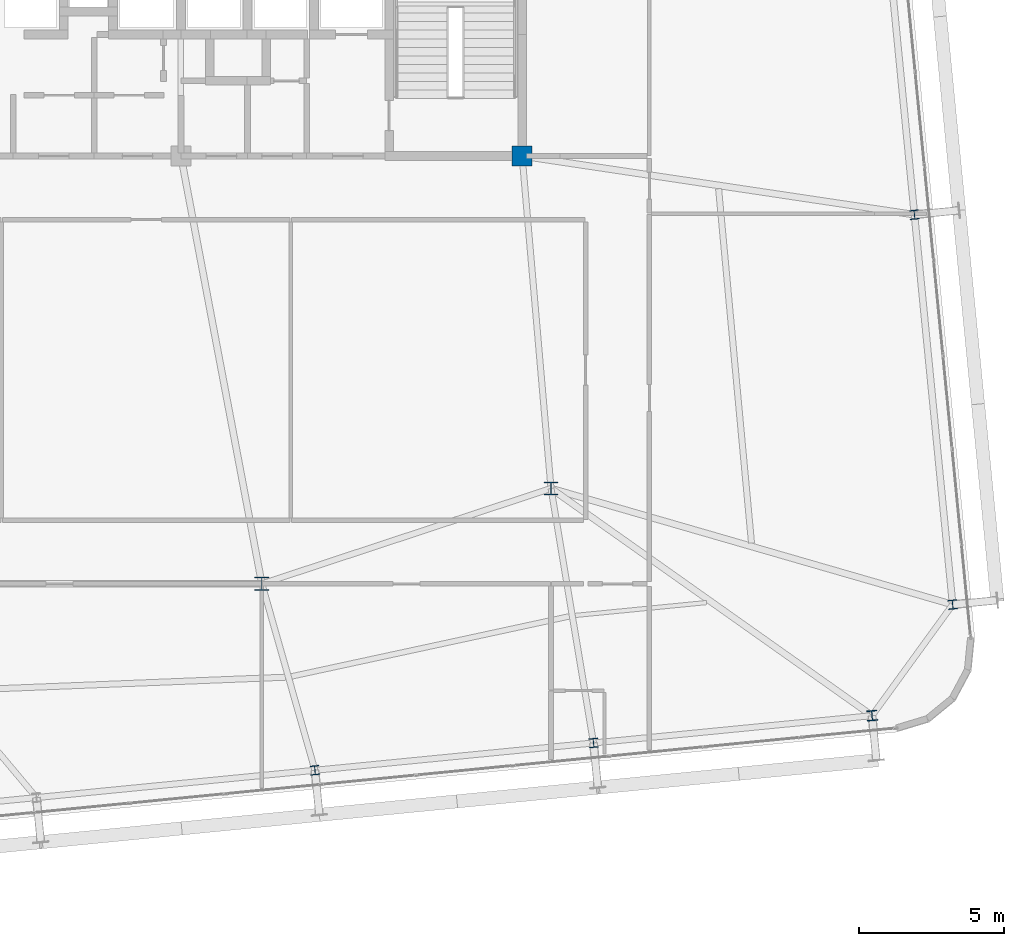
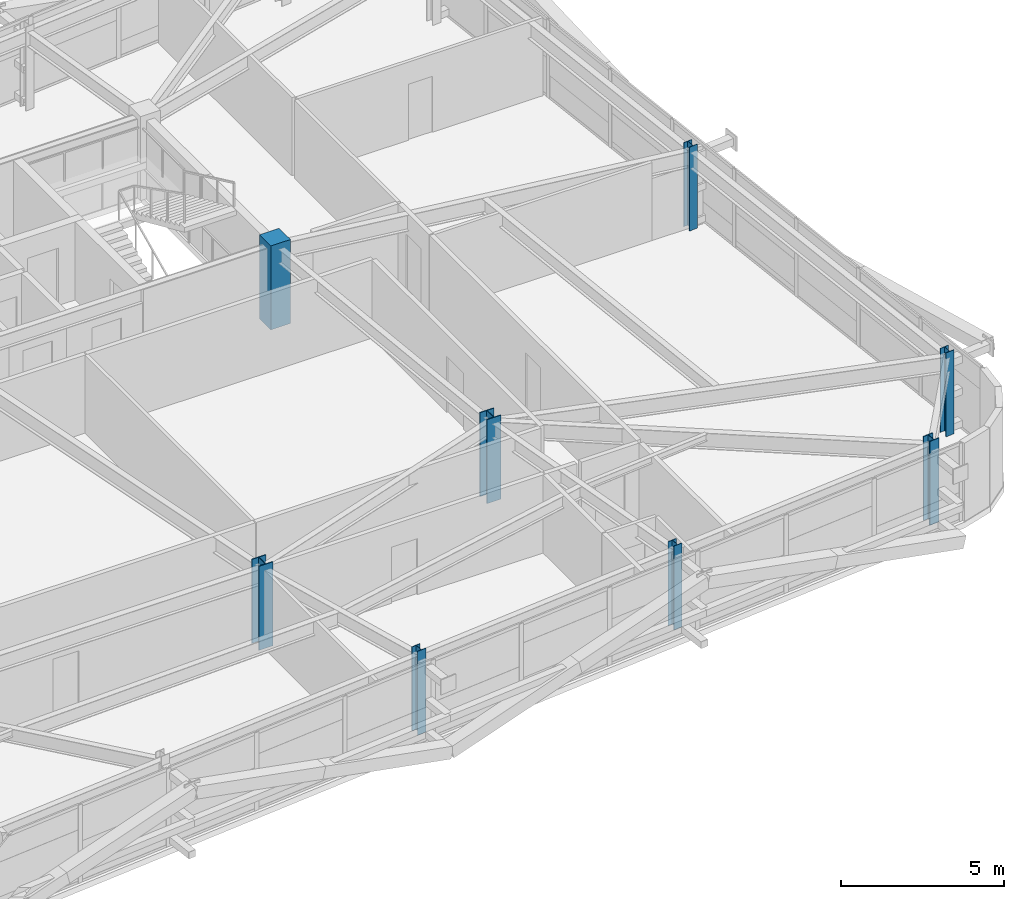
# One storey, part 2 of 53: 8 columns.
"""IFC4 building model written with IfcOpenShell, lengths in metres."""

from ifc_helpers import new_model, si_unit, direction, frame, origin, origin_2d, place, context, subcontext, project, spatial, rectangle, i_section, extrude, source, transform, mapped, material, material_profile, profile_set, type_object, element, save


model = new_model("IFC4")

# Units and contexts
model_context = context("Model", 3, precision=1e-05, world=origin(), true_north=direction((0.0, 1.0)))
body_context = subcontext(model_context, "Body", "Model", "MODEL_VIEW")
ifc_project = project(units=[si_unit("LENGTHUNIT", "METRE"), si_unit("AREAUNIT", "SQUARE_METRE"), si_unit("VOLUMEUNIT", "CUBIC_METRE"), si_unit("PLANEANGLEUNIT", "RADIAN"), si_unit("MASSUNIT", "GRAM", prefix="KILO")], contexts=[model_context])

# Site, building, storey
site_placement = place(None, origin())
site = spatial("IfcSite", under=ifc_project, at=site_placement, CompositionType="ELEMENT")
building_placement = place(site_placement, origin())
building = spatial("IfcBuilding", under=site, at=building_placement, Name="Taldren Reach Tower", CompositionType="ELEMENT")
storey_placement = place(building_placement, frame((0.0, 0.0, 84.0)))
storey = spatial("IfcBuildingStorey", under=building, at=storey_placement, Name="L25", CompositionType="ELEMENT", Elevation=84.0)

# Columns
ifc_material_1 = material(Name="Steel Gr 350 (350PLUS)", Category="steel")
ifc_material_profile_1 = material_profile(ifc_material_1, i_section(OverallWidth=0.5, OverallDepth=0.464111328125, WebThickness=0.02197265625, FlangeThickness=0.033935546875, at=origin_2d()), Name="500WC340")
ifc_profile_set_1 = profile_set([ifc_material_profile_1], Name="Steel Gr 350 (350PLUS)")
column_type_1 = type_object("IfcColumnType", Name="COL-WC500B", PredefinedType="COLUMN", material=ifc_profile_set_1)
shared_shape_1 = source(origin(), body_context, "Body", "SweptSolid", [
    extrude(i_section(OverallWidth=0.5, OverallDepth=0.464111328125, WebThickness=0.02197265625, FlangeThickness=0.033935546875, at=origin_2d()), origin(), (0.0, 0.0, 1.0), 3.14990234375),
])
for number, where, z_axis, x_axis, name in (
    (1, (42.0, 9.199951171875, 0.0), (0.0, 0.0, 1.0), (1.0, 0.0, 0.0), "Mega column MC-PJE L25"),
    (2, (52.0, 12.5, 0.0), (0.0, 0.0, 1.0), (1.0, 0.0, 0.0), "Mega column MC-SE L25"),
):
    element("IfcColumn", number, at=place(storey_placement, frame(where, z_axis=z_axis, x_axis=x_axis)), inside=storey, type_object=column_type_1, Name=name, PredefinedType="COLUMN", context=body_context, shape_type="MappedRepresentation", body=[
        mapped(shared_shape_1, transform((0.0, 0.0, 0.0), scale=1.0)),
    ])
ifc_material_2 = material(Name="Concrete S65 (65 MPa)", Category="concrete")
ifc_material_profile_2 = material_profile(ifc_material_2, rectangle(XDim=0.699951171875, YDim=0.699951171875, at=origin_2d()), Name="RC-700x700")
ifc_profile_set_2 = profile_set([ifc_material_profile_2], Name="Concrete S65 (65 MPa)")
column_type_2 = type_object("IfcColumnType", Name="COL-RC700", PredefinedType="COLUMN", material=ifc_profile_set_2)
shared_shape_2 = source(origin(), body_context, "Body", "SweptSolid", [
    extrude(rectangle(XDim=0.699951171875, YDim=0.699951171875, at=origin_2d()), origin(), (0.0, 0.0, 1.0), 3.14990234375),
])
column_1_placement = place(storey_placement, frame((51.0, 24.0, 0.0), z_axis=(0.0, 0.0, 1.0), x_axis=(1.0, 0.0, 0.0)))
element("IfcColumn", 3, at=column_1_placement, inside=storey, type_object=column_type_2, Name="Mega column MC-C4 L25", PredefinedType="COLUMN", context=body_context, shape_type="MappedRepresentation", body=[
    mapped(shared_shape_2, transform((0.0, 0.0, 0.0), scale=1.0)),
])
ifc_material_profile_3 = material_profile(ifc_material_1, i_section(OverallWidth=0.35009765625, OverallDepth=0.35595703125, WebThickness=0.01806640625, FlangeThickness=0.028076171875, at=origin_2d()), Name="350WC197")
ifc_profile_set_3 = profile_set([ifc_material_profile_3], Name="Steel Gr 350 (350PLUS)")
column_type_3 = type_object("IfcColumnType", Name="COL-WC350", PredefinedType="COLUMN", material=ifc_profile_set_3)
shared_shape_3 = source(origin(), body_context, "Body", "SweptSolid", [
    extrude(i_section(OverallWidth=0.35009765625, OverallDepth=0.35595703125, WebThickness=0.01806640625, FlangeThickness=0.028076171875, at=origin_2d()), origin(), (0.0, 0.0, 1.0), 3.14990234375),
])
column_2_placement = place(storey_placement, frame((63.103271484375, 4.64306640625, 0.0), z_axis=(0.0, 0.0, 1.0), x_axis=(0.995227399982, 0.097582899759, 0.0)))
element("IfcColumn", 4, at=column_2_placement, inside=storey, type_object=column_type_3, Name="Block B2 perimeter column S6 L25", PredefinedType="COLUMN", context=body_context, shape_type="MappedRepresentation", body=[
    mapped(shared_shape_3, transform((0.0, 0.0, 0.0), scale=1.0)),
])
ifc_material_profile_4 = material_profile(ifc_material_1, i_section(OverallWidth=0.306884765625, OverallDepth=0.31494140625, WebThickness=0.011962890625, FlangeThickness=0.018798828125, at=origin_2d()), Name="310UC118")
ifc_profile_set_4 = profile_set([ifc_material_profile_4], Name="Steel Gr 350 (350PLUS)")
column_type_4 = type_object("IfcColumnType", Name="COL-UC310B", PredefinedType="COLUMN", material=ifc_profile_set_4)
shared_shape_4 = source(origin(), body_context, "Body", "SweptSolid", [
    extrude(i_section(OverallWidth=0.306884765625, OverallDepth=0.31494140625, WebThickness=0.011962890625, FlangeThickness=0.018798828125, at=origin_2d()), origin(), (0.0, 0.0, 1.0), 3.14990234375),
])
for number, where, z_axis, x_axis, name in (
    (5, (43.83544921875, 2.75390625, 0.0), (0.0, 0.0, 1.0), (0.995227399982, 0.097582899759, 0.0), "Block B2 perimeter column S4 L25"),
    (6, (53.469482421875, 3.698486328125, 0.0), (0.0, 0.0, 1.0), (0.995227399982, 0.097582899759, 0.0), "Block B2 perimeter column S5 L25"),
    (7, (65.8916015625, 8.483642578125, 0.0), (0.0, 0.0, 1.0), (0.995227399982, 0.097582899759, 0.0), "Block B2 perimeter column E1 L25"),
    (8, (64.569580078125, 21.968994140625, 0.0), (0.0, 0.0, 1.0), (0.995227399982, 0.097582899759, 0.0), "Block B2 perimeter column E2 L25"),
):
    element("IfcColumn", number, at=place(storey_placement, frame(where, z_axis=z_axis, x_axis=x_axis)), inside=storey, type_object=column_type_4, Name=name, PredefinedType="COLUMN", context=body_context, shape_type="MappedRepresentation", body=[
        mapped(shared_shape_4, transform((0.0, 0.0, 0.0), scale=1.0)),
    ])

save(model, "model.ifc")
